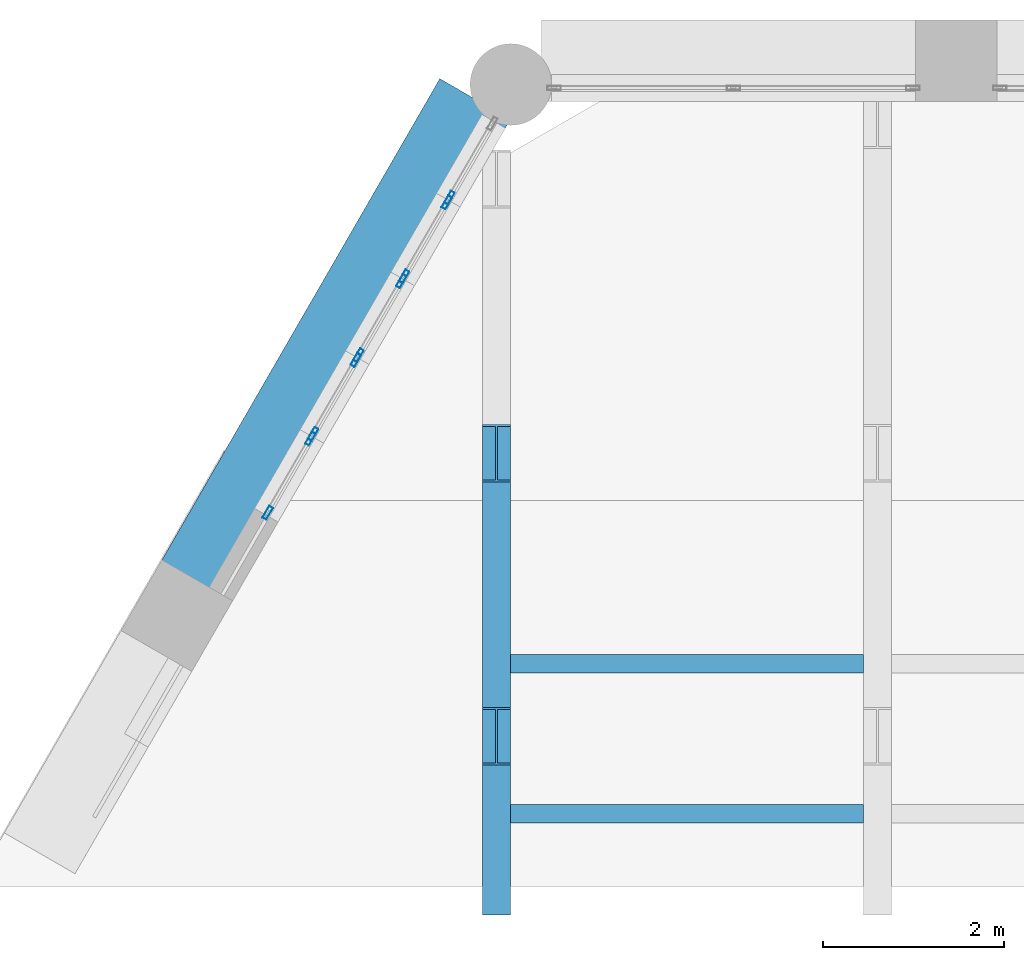
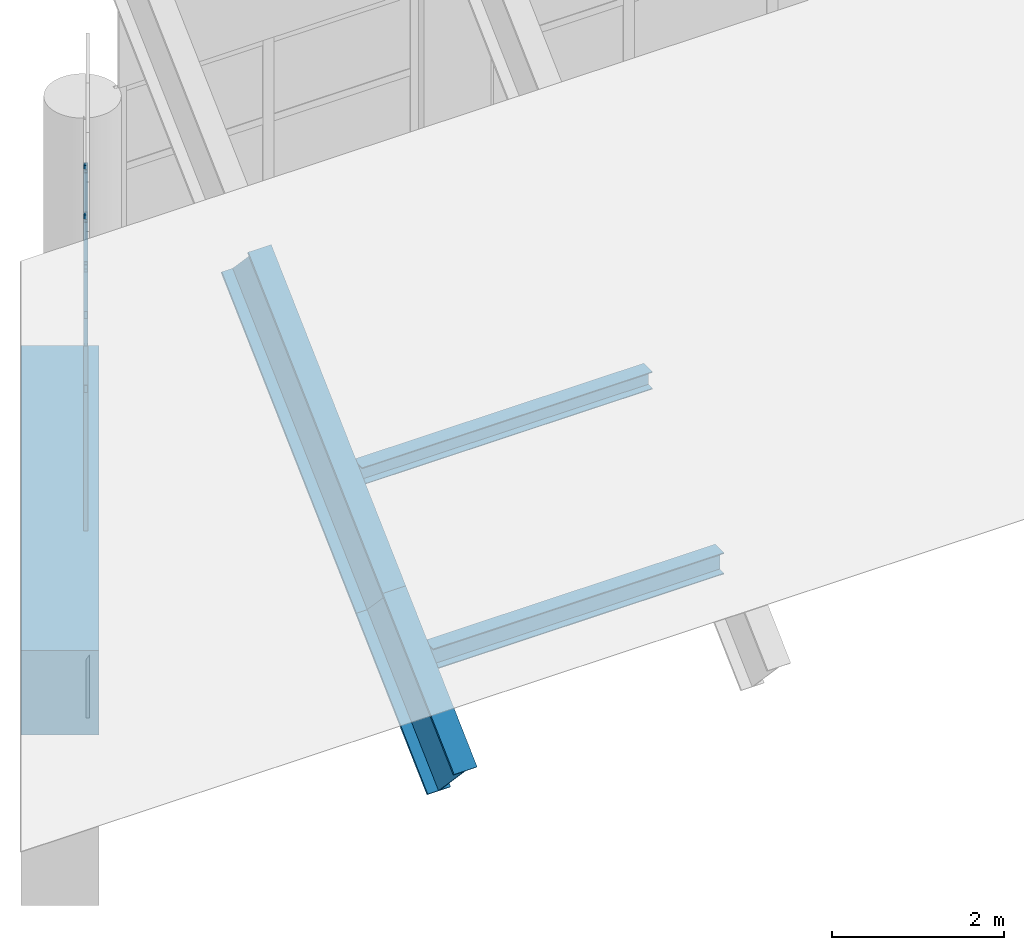
# One storey, part 2 of 11: 13 members, 1 beam, 5 elements without a shape of their own.
"""IFC4 building model written with IfcOpenShell, lengths in metres."""

import ifcopenshell
import ifcopenshell.guid

model = None  # the IFC model being written
_history = None  # IfcOwnerHistory: only IFC2X3 demands one
_inside = {}  # id of a spatial element -> (the spatial element, [elements in it])
_under = {}  # id of a project, library or spatial element -> (it, [spatial elements below it])
_declared = {}  # id of a project -> (the project, [libraries it declares])
_typed = {}  # id of a type object -> (the type object, [elements of that type])
_made_of = {}  # id of a material, layer set ... -> (it, [elements and type objects made of it])


def new_model(schema):
    """Start an empty IFC model of exactly this schema.

    Asked for "IFC4X3", IfcOpenShell would pick the latest addendum, in which some entities
    have other attributes; the version numbers below select the first issue.
    IFC2X3 requires an IfcOwnerHistory on every rooted entity: one is made here for all.
    """
    global model, _history
    if schema == "IFC4X3":
        model = ifcopenshell.file(schema_version=(4, 3, 0, 0))
    else:
        model = ifcopenshell.file(schema=schema)
    _inside.clear()
    _under.clear()
    _declared.clear()
    _typed.clear()
    _made_of.clear()
    _history = None
    if model.schema == "IFC2X3":
        org = make("IfcOrganization", Name="unknown")
        user = make(
            "IfcPersonAndOrganization",
            ThePerson=make("IfcPerson", FamilyName="unknown"),
            TheOrganization=org,
        )
        app = make(
            "IfcApplication",
            ApplicationDeveloper=org,
            Version="unknown",
            ApplicationFullName="unknown",
            ApplicationIdentifier="unknown",
        )
        _history = make(
            "IfcOwnerHistory",
            OwningUser=user,
            OwningApplication=app,
            ChangeAction="ADDED",
            CreationDate=0,
        )
    return model


def make(cls, **values):
    """One entity of the class cls with the attributes given. An attribute that is None is left unset."""
    return model.create_entity(
        cls, **{name: value for name, value in values.items() if value is not None}
    )


def rooted(cls, **values):
    """An entity with a GlobalId (a new one), such as an element, a storey or a relation."""
    return make(cls, GlobalId=ifcopenshell.guid.new(), OwnerHistory=_history, **values)


def si_unit(unit_type, name, prefix=None):
    """IfcSIUnit, for example si_unit("LENGTHUNIT", "METRE", prefix="MILLI")."""
    return make("IfcSIUnit", UnitType=unit_type, Prefix=prefix, Name=name)


def assignment(units):
    """IfcUnitAssignment: the units of a project."""
    return None if units is None else make("IfcUnitAssignment", Units=units)


def point(xyz):
    """IfcCartesianPoint."""
    return None if xyz is None else make("IfcCartesianPoint", Coordinates=xyz)


def direction(xyz):
    """IfcDirection."""
    return None if xyz is None else make("IfcDirection", DirectionRatios=xyz)


def frame(location, z_axis=None, x_axis=None):
    """IfcAxis2Placement3D, a coordinate frame: its origin and axes. An axis left out is left unset."""
    return make(
        "IfcAxis2Placement3D",
        Location=point(location),
        Axis=direction(z_axis),
        RefDirection=direction(x_axis),
    )


def frame_2d(location, x_axis=None):
    """IfcAxis2Placement2D, a coordinate frame in the plane: its origin and x axis."""
    return make(
        "IfcAxis2Placement2D", Location=point(location), RefDirection=direction(x_axis)
    )


def origin():
    """The frame at (0, 0, 0) with its axes left unset."""
    return frame((0.0, 0.0, 0.0))


def origin_2d():
    """The frame at (0, 0) in the plane with its x axis left unset."""
    return frame_2d((0.0, 0.0))


def place(relative_to, where):
    """IfcLocalPlacement: puts the frame where relative to a parent placement (None: the world)."""
    return make(
        "IfcLocalPlacement", PlacementRelTo=relative_to, RelativePlacement=where
    )


def context(
    kind, dimensions, precision=None, world=None, true_north=None, identifier=None
):
    """IfcGeometricRepresentationContext, for example the 3D "Model" context."""
    return make(
        "IfcGeometricRepresentationContext",
        ContextIdentifier=identifier,
        ContextType=kind,
        CoordinateSpaceDimension=dimensions,
        Precision=precision,
        WorldCoordinateSystem=world,
        TrueNorth=true_north,
    )


def subcontext(parent, identifier, kind, view, scale=None):
    """IfcGeometricRepresentationSubContext, for example "Body" below "Model"."""
    return make(
        "IfcGeometricRepresentationSubContext",
        ContextIdentifier=identifier,
        ContextType=kind,
        ParentContext=parent,
        TargetScale=scale,
        TargetView=view,
    )


def project(units=None, contexts=None):
    """IfcProject with its units and contexts."""
    return rooted(
        "IfcProject",
        Name="project",
        RepresentationContexts=contexts,
        UnitsInContext=assignment(units),
    )


def spatial(cls, under=None, at=None, **own):
    """A site, building, storey or space (cls), placed at a placement, below another one or the project."""
    s = rooted(cls, ObjectPlacement=at, **own)
    if under is not None:
        _under.setdefault(under.id(), (under, []))[1].append(s)
    return s


def profile(cls, at=None, kind="AREA", **sizes):
    """A parametric profile (cls). Its sizes go by their IFC names, for example OverallWidth=200.0."""
    return make(cls, ProfileType=kind, Position=at, **sizes)


def rectangle(**sizes):
    """IfcRectangleProfileDef."""
    return profile("IfcRectangleProfileDef", **sizes)


def hollow_rectangle(**sizes):
    """IfcRectangleHollowProfileDef."""
    return profile("IfcRectangleHollowProfileDef", **sizes)


def i_section(**sizes):
    """IfcIShapeProfileDef."""
    return profile("IfcIShapeProfileDef", **sizes)


def extrude(swept, where, along, depth):
    """IfcExtrudedAreaSolid: the profile swept, set in the frame where, extruded along a direction by depth."""
    return make(
        "IfcExtrudedAreaSolid",
        SweptArea=swept,
        Position=where,
        ExtrudedDirection=direction(along),
        Depth=depth,
    )


def shape(context_of_items, identifier, shape_type, items):
    """IfcShapeRepresentation: the items that make up one representation, for example the "Body"."""
    return make(
        "IfcShapeRepresentation",
        ContextOfItems=context_of_items,
        RepresentationIdentifier=identifier,
        RepresentationType=shape_type,
        Items=items,
    )


def material(Name=None, Category=None):
    """IfcMaterial."""
    return make("IfcMaterial", Name=Name, Category=Category)


def material_profile(
    of_material, cross_section, Name=None, Category=None, Priority=None
):
    """IfcMaterialProfile: a cross section and its material."""
    return make(
        "IfcMaterialProfile",
        Name=Name,
        Material=of_material,
        Profile=cross_section,
        Priority=Priority,
        Category=Category,
    )


def profile_set(profiles, Name=None, composite=None):
    """IfcMaterialProfileSet."""
    return make(
        "IfcMaterialProfileSet",
        Name=Name,
        MaterialProfiles=profiles,
        CompositeProfile=composite,
    )


def made_of(thing, what):
    """Note that an element or type object is made of a material, layer set ...; save() writes the relation."""
    if what is not None:
        _made_of.setdefault(what.id(), (what, []))[1].append(thing)
    return thing


def type_object(cls, material=None, **own):
    """A type object (cls), such as IfcWallType, which elements share."""
    return made_of(rooted(cls, **own), material)


def element(
    cls,
    number,
    at=None,
    inside=None,
    cuts=None,
    type_object=None,
    material=None,
    context=None,
    identifier="Body",
    shape_type=None,
    held_by="IfcProductDefinitionShape",
    body=None,
    shapes=None,
    **own,
):
    """One element of the class cls, such as IfcWall. Its Tag is "e" and its number.

    at: its placement. inside: the storey or other place that contains it. cuts: it is an
    opening in that element (IfcRelVoidsElement). A single representation is given by context,
    identifier, shape_type and body (its items); several are given by shapes. held_by: the class
    of the entity that holds the representations. save() writes the other relations.
    """
    e = rooted(cls, Tag="e%d" % number, ObjectPlacement=at, **own)
    if body is not None:
        shapes = [shape(context, identifier, shape_type, body)]
    if shapes is not None:
        e.Representation = make(held_by, Representations=shapes)
    if inside is not None:
        _inside.setdefault(inside.id(), (inside, []))[1].append(e)
    if cuts is not None:
        rooted(
            "IfcRelVoidsElement", RelatingBuildingElement=cuts, RelatedOpeningElement=e
        )
    if type_object is not None:
        _typed.setdefault(type_object.id(), (type_object, []))[1].append(e)
    return made_of(e, material)


def aggregate(whole, parts):
    """IfcRelAggregates: a whole, such as a stair, and the parts it consists of."""
    return rooted("IfcRelAggregates", RelatingObject=whole, RelatedObjects=parts)


def save(model, path):
    """Write the relations noted so far, then the file.

    IfcRelAggregates (storeys below a building ...), IfcRelContainedInSpatialStructure (elements
    in a storey), IfcRelDefinesByType, IfcRelAssociatesMaterial and IfcRelDeclares: one each for
    every whole, place, type object, material and project.
    """
    for whole, parts in _under.values():
        aggregate(whole, parts)
    for where, things in _inside.values():
        rooted(
            "IfcRelContainedInSpatialStructure",
            RelatedElements=things,
            RelatingStructure=where,
        )
    for kind, things in _typed.values():
        rooted("IfcRelDefinesByType", RelatedObjects=things, RelatingType=kind)
    for what, things in _made_of.values():
        rooted("IfcRelAssociatesMaterial", RelatedObjects=things, RelatingMaterial=what)
    for by, libraries in _declared.values():
        rooted("IfcRelDeclares", RelatingContext=by, RelatedDefinitions=libraries)
    model.write(path)


model = new_model("IFC4")

# Units and contexts
model_context = context("Model", 3, precision=1e-05, world=origin(), true_north=direction((0.0, 1.0)))
body_context = subcontext(model_context, "Body", "Model", "MODEL_VIEW")
ifc_project = project(units=[si_unit("LENGTHUNIT", "METRE"), si_unit("AREAUNIT", "SQUARE_METRE"), si_unit("VOLUMEUNIT", "CUBIC_METRE"), si_unit("PLANEANGLEUNIT", "RADIAN"), si_unit("MASSUNIT", "GRAM", prefix="KILO")], contexts=[model_context])

# Site, building, storey
site_placement = place(None, origin())
site = spatial("IfcSite", under=ifc_project, at=site_placement, CompositionType="ELEMENT")
building_placement = place(site_placement, origin())
building = spatial("IfcBuilding", under=site, at=building_placement, Name="Ostrander Bayou Hotel Tower", CompositionType="ELEMENT")
storey_placement = place(building_placement, frame((0.0, 0.0, 297.5)))
storey = spatial("IfcBuildingStorey", under=building, at=storey_placement, Name="Roof 73", CompositionType="ELEMENT", Elevation=297.5)

# Members
ifc_material_1 = material(Name="Steel ASTM A992", Category="steel")
ifc_material_profile_1 = material_profile(ifc_material_1, i_section(OverallWidth=0.2021484375, OverallDepth=0.2470703125, WebThickness=0.00732421875, FlangeThickness=0.010986328125, at=origin_2d()))
ifc_profile_set_1 = profile_set([ifc_material_profile_1], Name="Steel ASTM A992")
member_type_1 = type_object("IfcMemberType", Name="CP2 crown purlin W10x33", PredefinedType="PURLIN", material=ifc_profile_set_1)
member_1_placement = place(storey_placement, frame((-8.24609375, 10.199951171875, 1.845703125), z_axis=(1.0, 0.0, 0.0), x_axis=(0.0, 1.0, 0.0)))
element("IfcMember", 1, at=member_1_placement, inside=storey, type_object=member_type_1, Name="CP2 P1-10", PredefinedType="PURLIN", context=body_context, shape_type="SweptSolid", body=[
    extrude(i_section(OverallWidth=0.2021484375, OverallDepth=0.2470703125, WebThickness=0.00732421875, FlangeThickness=0.010986328125, at=origin_2d()), origin(), (0.0, 0.0, 1.0), 3.89208984375),
])
ifc_material_2 = material(Name="Steel ASTM A992", Category="steel")
ifc_material_profile_2 = material_profile(ifc_material_2, i_section(OverallWidth=0.203369140625, OverallDepth=0.30322265625, WebThickness=0.007568359375, FlangeThickness=0.01318359375, at=origin_2d()))
ifc_profile_set_2 = profile_set([ifc_material_profile_2], Name="Steel ASTM A992")
member_type_2 = type_object("IfcMemberType", Name="CP3 crown purlin W12x40", PredefinedType="PURLIN", material=ifc_profile_set_2)
member_2_placement = place(storey_placement, frame((-8.24609375, 8.544921875, 0.2587890625), z_axis=(1.0, 0.0, 0.0), x_axis=(0.0, 1.0, 0.0)))
element("IfcMember", 2, at=member_2_placement, inside=storey, type_object=member_type_2, Name="CP3 P1-9", PredefinedType="PURLIN", context=body_context, shape_type="SweptSolid", body=[
    extrude(i_section(OverallWidth=0.203369140625, OverallDepth=0.30322265625, WebThickness=0.007568359375, FlangeThickness=0.01318359375, at=origin_2d()), origin(), (0.0, 0.0, 1.0), 3.89208984375),
])
ifc_material_3 = material(Name="Steel ASTM A992", Category="steel")
ifc_material_profile_3 = material_profile(ifc_material_3, i_section(OverallWidth=0.307861328125, OverallDepth=0.9267578125, WebThickness=0.01953125, FlangeThickness=0.031982421875, at=origin_2d()))
ifc_profile_set_3 = profile_set([ifc_material_profile_3], Name="Steel ASTM A992")
member_type_3 = type_object("IfcMemberType", Name="CR1 crown rafter W36x194", PredefinedType="RAFTER", material=ifc_profile_set_3)
member_3_placement = place(storey_placement, frame((-8.39990234375, 7.7451171875, -0.979736328125), z_axis=(0.0, 0.727894103039, 0.685689561508), x_axis=(-1.0, 0.0, 0.0)))
element("IfcMember", 3, at=member_3_placement, inside=storey, type_object=member_type_3, Name="CR1 R1-7", PredefinedType="RAFTER", context=body_context, shape_type="SweptSolid", body=[
    extrude(i_section(OverallWidth=0.307861328125, OverallDepth=0.9267578125, WebThickness=0.01953125, FlangeThickness=0.031982421875, at=origin_2d()), origin(), (0.0, 0.0, 1.0), 2.2734375),
])
member_4_placement = place(storey_placement, frame((-8.39990234375, 9.39990234375, 0.5791015625), z_axis=(0.0, 0.72796598037, 0.685613252078), x_axis=(-1.0, 0.0, 0.0)))
element("IfcMember", 4, at=member_4_placement, inside=storey, type_object=member_type_3, Name="CR1 R1-8", PredefinedType="RAFTER", context=body_context, shape_type="SweptSolid", body=[
    extrude(i_section(OverallWidth=0.307861328125, OverallDepth=0.9267578125, WebThickness=0.01953125, FlangeThickness=0.031982421875, at=origin_2d()), origin(), (0.0, 0.0, 1.0), 4.288818359375),
])

# Curtain wall, member
ifc_material_4 = material(Name="Aluminium and clear glass", Category="aluminium")
curtain_wall_type = type_object("IfcCurtainWallType", Name="CW-CROWN glazed wall", PredefinedType="NOTDEFINED", material=ifc_material_4)
curtain_wall_1_placement = place(storey_placement, origin())
curtain_wall_1 = element("IfcCurtainWall", 5, at=curtain_wall_1_placement, inside=storey, type_object=curtain_wall_type, Name="CW-CROWN L73:NW-1-1", PredefinedType="NOTDEFINED")
ifc_material_5 = material(Name="Aluminium", Category="aluminium")
ifc_material_profile_4 = material_profile(ifc_material_5, hollow_rectangle(XDim=0.050048828125, YDim=0.14990234375, WallThickness=0.00390625, at=origin_2d()))
ifc_profile_set_4 = profile_set([ifc_material_profile_4], Name="Aluminium")
member_type_4 = type_object("IfcMemberType", Name="CW-CR mullion 50 x 150 mm", PredefinedType="MULLION", material=ifc_profile_set_4)
member_5_placement = place(storey_placement, frame((-8.918701171875, 15.339599609375, 1.0), z_axis=(0.0, 0.0, 1.0), x_axis=(0.866026229865, -0.499998569184, 0.0)))
member_5 = element("IfcMember", 6, at=member_5_placement, type_object=member_type_4, Name="CW-CROWN mullion 2", PredefinedType="MULLION", context=body_context, shape_type="SweptSolid", body=[
    extrude(hollow_rectangle(XDim=0.050048828125, YDim=0.14990234375, WallThickness=0.00390625, at=origin_2d()), origin(), (0.0, 0.0, 1.0), 2.300048828125),
])
aggregate(curtain_wall_1, [member_5])

# Curtain wall, members
curtain_wall_2_placement = place(storey_placement, origin())
curtain_wall_2 = element("IfcCurtainWall", 7, at=curtain_wall_2_placement, inside=storey, type_object=curtain_wall_type, Name="CW-CROWN L73:NW-1-2", PredefinedType="NOTDEFINED")
member_6_placement = place(storey_placement, frame((-8.948486328125, 15.28759765625, 1.0), z_axis=(0.0, 0.0, 1.0), x_axis=(0.866001306597, -0.50004173523, 0.0)))
member_6 = element("IfcMember", 8, at=member_6_placement, type_object=member_type_4, Name="CW-CROWN mullion 1", PredefinedType="MULLION", context=body_context, shape_type="SweptSolid", body=[
    extrude(hollow_rectangle(XDim=0.050048828125, YDim=0.14990234375, WallThickness=0.00390625, at=origin_2d()), origin(), (0.0, 0.0, 1.0), 2.300048828125),
])
member_7_placement = place(storey_placement, frame((-9.420166015625, 14.470947265625, 1.0), z_axis=(0.0, 0.0, 1.0), x_axis=(0.866001306597, -0.50004173523, 0.0)))
member_7 = element("IfcMember", 9, at=member_7_placement, type_object=member_type_4, Name="CW-CROWN mullion 2", PredefinedType="MULLION", context=body_context, shape_type="SweptSolid", body=[
    extrude(hollow_rectangle(XDim=0.050048828125, YDim=0.14990234375, WallThickness=0.00390625, at=origin_2d()), origin(), (0.0, 0.0, 1.0), 2.300048828125),
])
aggregate(curtain_wall_2, [member_6, member_7])

curtain_wall_3_placement = place(storey_placement, origin())
curtain_wall_3 = element("IfcCurtainWall", 10, at=curtain_wall_3_placement, inside=storey, type_object=curtain_wall_type, Name="CW-CROWN L73:NW-1-3", PredefinedType="NOTDEFINED")
member_8_placement = place(storey_placement, frame((-9.4501953125, 14.4189453125, 1.0), z_axis=(0.0, 0.0, 1.0), x_axis=(0.866026229865, -0.499998569184, 0.0)))
member_8 = element("IfcMember", 11, at=member_8_placement, type_object=member_type_4, Name="CW-CROWN mullion 1", PredefinedType="MULLION", context=body_context, shape_type="SweptSolid", body=[
    extrude(hollow_rectangle(XDim=0.050048828125, YDim=0.14990234375, WallThickness=0.00390625, at=origin_2d()), origin(), (0.0, 0.0, 1.0), 2.300048828125),
])
member_9_placement = place(storey_placement, frame((-9.921875, 13.60205078125, 1.0), z_axis=(0.0, 0.0, 1.0), x_axis=(0.866026229865, -0.499998569184, 0.0)))
member_9 = element("IfcMember", 12, at=member_9_placement, type_object=member_type_4, Name="CW-CROWN mullion 2", PredefinedType="MULLION", context=body_context, shape_type="SweptSolid", body=[
    extrude(hollow_rectangle(XDim=0.050048828125, YDim=0.14990234375, WallThickness=0.00390625, at=origin_2d()), origin(), (0.0, 0.0, 1.0), 2.300048828125),
])
aggregate(curtain_wall_3, [member_8, member_9])

curtain_wall_4_placement = place(storey_placement, origin())
curtain_wall_4 = element("IfcCurtainWall", 13, at=curtain_wall_4_placement, inside=storey, type_object=curtain_wall_type, Name="CW-CROWN L73:NW-1-4", PredefinedType="NOTDEFINED")
member_10_placement = place(storey_placement, frame((-9.951904296875, 13.550048828125, 1.0), z_axis=(0.0, 0.0, 1.0), x_axis=(0.866069391736, -0.499923802893, 0.0)))
member_10 = element("IfcMember", 14, at=member_10_placement, type_object=member_type_4, Name="CW-CROWN mullion 1", PredefinedType="MULLION", context=body_context, shape_type="SweptSolid", body=[
    extrude(hollow_rectangle(XDim=0.050048828125, YDim=0.14990234375, WallThickness=0.00390625, at=origin_2d()), origin(), (0.0, 0.0, 1.0), 2.300048828125),
])
member_11_placement = place(storey_placement, frame((-10.42333984375, 12.7333984375, 1.0), z_axis=(0.0, 0.0, 1.0), x_axis=(0.866069391736, -0.499923802893, 0.0)))
member_11 = element("IfcMember", 15, at=member_11_placement, type_object=member_type_4, Name="CW-CROWN mullion 2", PredefinedType="MULLION", context=body_context, shape_type="SweptSolid", body=[
    extrude(hollow_rectangle(XDim=0.050048828125, YDim=0.14990234375, WallThickness=0.00390625, at=origin_2d()), origin(), (0.0, 0.0, 1.0), 2.300048828125),
])
aggregate(curtain_wall_4, [member_10, member_11])

curtain_wall_5_placement = place(storey_placement, origin())
curtain_wall_5 = element("IfcCurtainWall", 16, at=curtain_wall_5_placement, inside=storey, type_object=curtain_wall_type, Name="CW-CROWN L73:NW-1-5", PredefinedType="NOTDEFINED")
member_12_placement = place(storey_placement, frame((-10.453369140625, 12.681396484375, 1.0), z_axis=(0.0, 0.0, 1.0), x_axis=(0.866001306597, -0.50004173523, 0.0)))
member_12 = element("IfcMember", 17, at=member_12_placement, type_object=member_type_4, Name="CW-CROWN mullion 1", PredefinedType="MULLION", context=body_context, shape_type="SweptSolid", body=[
    extrude(hollow_rectangle(XDim=0.050048828125, YDim=0.14990234375, WallThickness=0.00390625, at=origin_2d()), origin(), (0.0, 0.0, 1.0), 1.9560546875),
])
member_13_placement = place(storey_placement, frame((-10.9248046875, 11.864501953125, 1.0), z_axis=(0.0, 0.0, 1.0), x_axis=(0.866001306597, -0.50004173523, 0.0)))
member_13 = element("IfcMember", 18, at=member_13_placement, type_object=member_type_4, Name="CW-CROWN mullion 2", PredefinedType="MULLION", context=body_context, shape_type="SweptSolid", body=[
    extrude(hollow_rectangle(XDim=0.050048828125, YDim=0.14990234375, WallThickness=0.00390625, at=origin_2d()), origin(), (0.0, 0.0, 1.0), 1.9560546875),
])
aggregate(curtain_wall_5, [member_12, member_13])

# Beam
ifc_material_6 = material(Name="Concrete f'c 60 MPa", Category="concrete")
ifc_material_profile_5 = material_profile(ifc_material_6, rectangle(XDim=0.89990234375, YDim=1.199951171875, at=origin_2d()))
ifc_profile_set_5 = profile_set([ifc_material_profile_5], Name="Concrete f'c 60 MPa")
beam_type = type_object("IfcBeamType", Name="SP4 spandrel beam 900 x 1200 mm f'c 60 MPa", PredefinedType="SPANDREL", material=ifc_profile_set_5)
beam_placement = place(storey_placement, frame((-8.63671875, 16.427978515625, -0.60009765625), z_axis=(-0.499984362083, -0.866034432152, 0.0), x_axis=(0.866034432152, -0.499984362083, 0.0)))
element("IfcBeam", 19, at=beam_placement, inside=storey, type_object=beam_type, Name="SP4 L73 NW-1", PredefinedType="SPANDREL", context=body_context, shape_type="SweptSolid", body=[
    extrude(rectangle(XDim=0.89990234375, YDim=1.199951171875, at=origin_2d()), origin(), (0.0, 0.0, 1.0), 6.159423828125),
])

save(model, "model.ifc")
